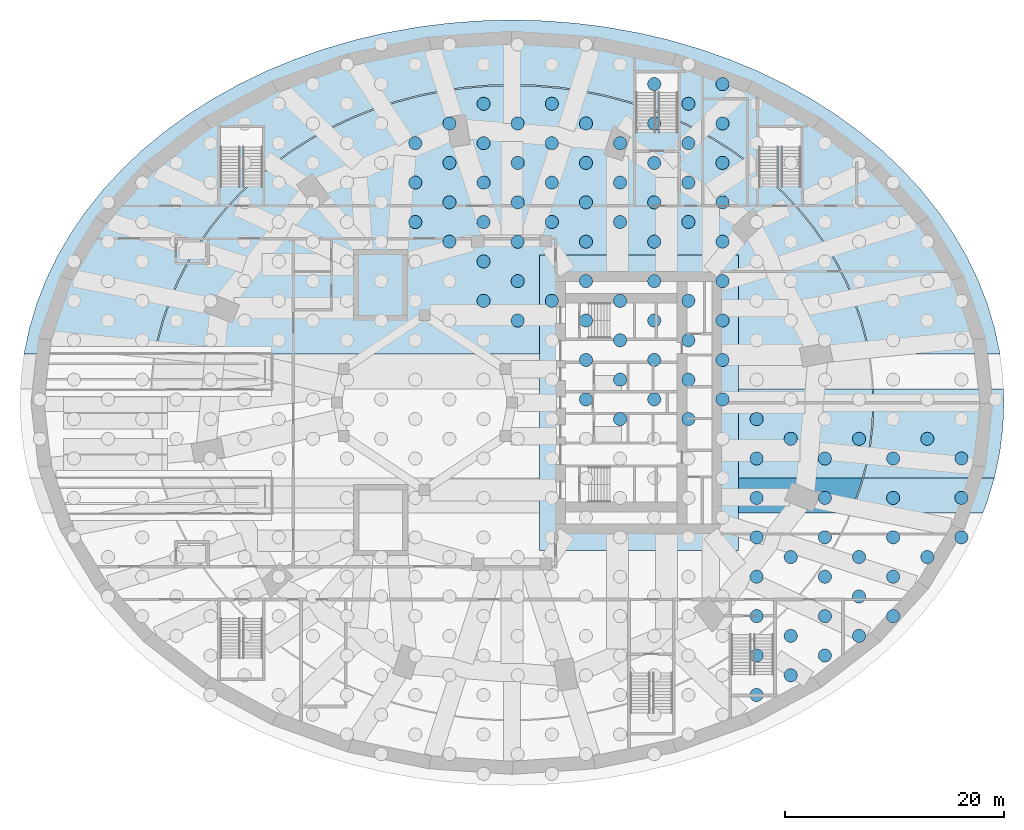
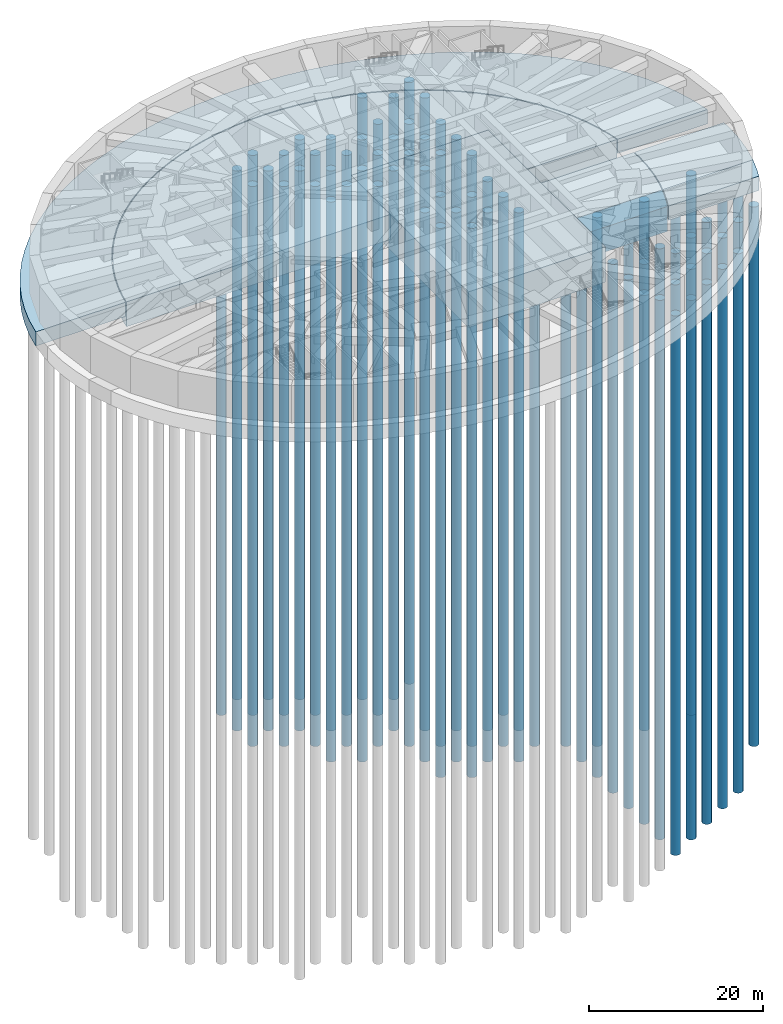
# One storey, part 3 of 18: 97 piles, 7 footings.
"""IFC4 building model written with IfcOpenShell, lengths in metres."""

from ifc_helpers import new_model, si_unit, direction, frame, origin, origin_2d, place, context, subcontext, project, spatial, polyline, circle, outline, extrude, material, layer, layer_set, material_profile, profile_set, type_object, element, save


model = new_model("IFC4")

# Units and contexts
model_context = context("Model", 3, precision=1e-05, world=origin(), true_north=direction((0.0, 1.0)))
body_context = subcontext(model_context, "Body", "Model", "MODEL_VIEW")
ifc_project = project(units=[si_unit("LENGTHUNIT", "METRE"), si_unit("AREAUNIT", "SQUARE_METRE"), si_unit("VOLUMEUNIT", "CUBIC_METRE"), si_unit("PLANEANGLEUNIT", "RADIAN"), si_unit("MASSUNIT", "GRAM", prefix="KILO")], contexts=[model_context])

# Site, building, storey
site_placement = place(None, origin())
site = spatial("IfcSite", under=ifc_project, at=site_placement, CompositionType="ELEMENT")
building_placement = place(site_placement, origin())
building = spatial("IfcBuilding", under=site, at=building_placement, Name="Taillehof Tower", CompositionType="ELEMENT")
storey_placement = place(building_placement, frame((0.0, 0.0, -10.39990234375)))
storey = spatial("IfcBuildingStorey", under=building, at=storey_placement, Name="B2", CompositionType="ELEMENT", Elevation=-10.39990234375)

# Piles
ifc_material_1 = material(Name="Concrete C30/37", Category="concrete")
ifc_material_profile = material_profile(ifc_material_1, circle(Radius=0.60009765625, at=origin_2d()), Name="BP D1200")
ifc_profile_set = profile_set([ifc_material_profile], Name="Concrete C30/37")
pile_type = type_object("IfcPileType", Name="Bored pile D1200", PredefinedType="BORED", material=ifc_profile_set)
for number, where, z_axis, x_axis, name in (
    (1, (22.3740234375, -26.736083984375, -1.902099609375), (0.0, 0.0, -1.0), (1.0, 0.0, 0.0), "Pile 026"),
    (2, (25.49609375, -24.93359375, -1.902099609375), (0.0, 0.0, -1.0), (1.0, 0.0, 0.0), "Pile 034"),
    (3, (22.3740234375, -23.13134765625, -1.902099609375), (0.0, 0.0, -1.0), (1.0, 0.0, 0.0), "Pile 042"),
    (4, (28.617919921875, -23.131103515625, -1.902099609375), (0.0, 0.0, -1.0), (1.0, 0.0, 0.0), "Pile 043"),
    (5, (25.49609375, -21.328857421875, -1.902099609375), (0.0, 0.0, -1.0), (1.0, 0.0, 0.0), "Pile 053"),
    (6, (31.739990234375, -21.32861328125, -1.902099609375), (0.0, 0.0, -1.0), (1.0, 0.0, 0.0), "Pile 054"),
):
    element("IfcPile", number, at=place(storey_placement, frame(where, z_axis=z_axis, x_axis=x_axis)), inside=storey, type_object=pile_type, Name=name, PredefinedType="BORED", context=body_context, shape_type="SweptSolid", body=[
        extrude(circle(Radius=0.60009765625, at=origin_2d()), origin(), (0.0, 0.0, 1.0), 75.798095703125),
    ])
pile_1_placement = place(storey_placement, frame((22.3740234375, -19.5263671875, -3.402099609375), z_axis=(0.0, 0.0, -1.0), x_axis=(1.0, 0.0, 0.0)))
element("IfcPile", 7, at=pile_1_placement, inside=storey, type_object=pile_type, Name="Pile 064", PredefinedType="BORED", context=body_context, shape_type="SweptSolid", body=[
    extrude(circle(Radius=0.60009765625, at=origin_2d()), origin(), (0.0, 0.0, 1.0), 74.298095703125),
])
for number, where, z_axis, x_axis, name in (
    (8, (28.6181640625, -19.5263671875, -1.902099609375), (0.0, 0.0, -1.0), (1.0, 0.0, 0.0), "Pile 065"),
    (9, (34.862060546875, -19.526123046875, -1.902099609375), (0.0, 0.0, -1.0), (1.0, 0.0, 0.0), "Pile 066"),
    (10, (31.739990234375, -17.723876953125, -1.902099609375), (0.0, 0.0, -1.0), (1.0, 0.0, 0.0), "Pile 077"),
):
    element("IfcPile", number, at=place(storey_placement, frame(where, z_axis=z_axis, x_axis=x_axis)), inside=storey, type_object=pile_type, Name=name, PredefinedType="BORED", context=body_context, shape_type="SweptSolid", body=[
        extrude(circle(Radius=0.60009765625, at=origin_2d()), origin(), (0.0, 0.0, 1.0), 75.798095703125),
    ])
pile_2_placement = place(storey_placement, frame((22.3740234375, -15.92138671875, -3.402099609375), z_axis=(0.0, 0.0, -1.0), x_axis=(1.0, 0.0, 0.0)))
element("IfcPile", 11, at=pile_2_placement, inside=storey, type_object=pile_type, Name="Pile 086", PredefinedType="BORED", context=body_context, shape_type="SweptSolid", body=[
    extrude(circle(Radius=0.60009765625, at=origin_2d()), origin(), (0.0, 0.0, 1.0), 74.298095703125),
])
for number, where, z_axis, x_axis, name in (
    (12, (28.6181640625, -15.92138671875, -1.902099609375), (0.0, 0.0, -1.0), (1.0, 0.0, 0.0), "Pile 087"),
    (13, (34.862060546875, -15.92138671875, -1.902099609375), (0.0, 0.0, -1.0), (1.0, 0.0, 0.0), "Pile 088"),
):
    element("IfcPile", number, at=place(storey_placement, frame(where, z_axis=z_axis, x_axis=x_axis)), inside=storey, type_object=pile_type, Name=name, PredefinedType="BORED", context=body_context, shape_type="SweptSolid", body=[
        extrude(circle(Radius=0.60009765625, at=origin_2d()), origin(), (0.0, 0.0, 1.0), 75.798095703125),
    ])
pile_3_placement = place(storey_placement, frame((25.49609375, -14.118896484375, -3.402099609375), z_axis=(0.0, 0.0, -1.0), x_axis=(1.0, 0.0, 0.0)))
element("IfcPile", 14, at=pile_3_placement, inside=storey, type_object=pile_type, Name="Pile 096", PredefinedType="BORED", context=body_context, shape_type="SweptSolid", body=[
    extrude(circle(Radius=0.60009765625, at=origin_2d()), origin(), (0.0, 0.0, 1.0), 74.298095703125),
])
for number, where, z_axis, x_axis, name in (
    (15, (31.739990234375, -14.118896484375, -1.902099609375), (0.0, 0.0, -1.0), (1.0, 0.0, 0.0), "Pile 097"),
    (16, (37.984130859375, -14.118896484375, -1.902099609375), (0.0, 0.0, -1.0), (1.0, 0.0, 0.0), "Pile 098"),
):
    element("IfcPile", number, at=place(storey_placement, frame(where, z_axis=z_axis, x_axis=x_axis)), inside=storey, type_object=pile_type, Name=name, PredefinedType="BORED", context=body_context, shape_type="SweptSolid", body=[
        extrude(circle(Radius=0.60009765625, at=origin_2d()), origin(), (0.0, 0.0, 1.0), 75.798095703125),
    ])
for number, where, z_axis, x_axis, name in (
    (17, (22.374267578125, -12.31640625, -3.402099609375), (0.0, 0.0, -1.0), (1.0, 0.0, 0.0), "Pile 109"),
    (18, (28.6181640625, -12.31640625, -3.402099609375), (0.0, 0.0, -1.0), (1.0, 0.0, 0.0), "Pile 110"),
):
    element("IfcPile", number, at=place(storey_placement, frame(where, z_axis=z_axis, x_axis=x_axis)), inside=storey, type_object=pile_type, Name=name, PredefinedType="BORED", context=body_context, shape_type="SweptSolid", body=[
        extrude(circle(Radius=0.60009765625, at=origin_2d()), origin(), (0.0, 0.0, 1.0), 74.298095703125),
    ])
for number, where, z_axis, x_axis, name in (
    (19, (34.8623046875, -12.31640625, -1.902099609375), (0.0, 0.0, -1.0), (1.0, 0.0, 0.0), "Pile 111"),
    (20, (41.106201171875, -12.31640625, -1.902099609375), (0.0, 0.0, -1.0), (1.0, 0.0, 0.0), "Pile 112"),
):
    element("IfcPile", number, at=place(storey_placement, frame(where, z_axis=z_axis, x_axis=x_axis)), inside=storey, type_object=pile_type, Name=name, PredefinedType="BORED", context=body_context, shape_type="SweptSolid", body=[
        extrude(circle(Radius=0.60009765625, at=origin_2d()), origin(), (0.0, 0.0, 1.0), 75.798095703125),
    ])
for number, where, z_axis, x_axis, name in (
    (21, (22.374267578125, -8.711669921875, -3.402099609375), (0.0, 0.0, -1.0), (1.0, 0.0, 0.0), "Pile 125"),
    (22, (28.6181640625, -8.71142578125, -3.402099609375), (0.0, 0.0, -1.0), (1.0, 0.0, 0.0), "Pile 126"),
):
    element("IfcPile", number, at=place(storey_placement, frame(where, z_axis=z_axis, x_axis=x_axis)), inside=storey, type_object=pile_type, Name=name, PredefinedType="BORED", context=body_context, shape_type="SweptSolid", body=[
        extrude(circle(Radius=0.60009765625, at=origin_2d()), origin(), (0.0, 0.0, 1.0), 74.298095703125),
    ])
for number, where, z_axis, x_axis, name in (
    (23, (34.8623046875, -8.71142578125, -1.902099609375), (0.0, 0.0, -1.0), (1.0, 0.0, 0.0), "Pile 127"),
    (24, (41.106201171875, -8.71142578125, -1.902099609375), (0.0, 0.0, -1.0), (1.0, 0.0, 0.0), "Pile 128"),
):
    element("IfcPile", number, at=place(storey_placement, frame(where, z_axis=z_axis, x_axis=x_axis)), inside=storey, type_object=pile_type, Name=name, PredefinedType="BORED", context=body_context, shape_type="SweptSolid", body=[
        extrude(circle(Radius=0.60009765625, at=origin_2d()), origin(), (0.0, 0.0, 1.0), 75.798095703125),
    ])
for number, where, z_axis, x_axis, name in (
    (25, (22.374267578125, -5.106689453125, -3.402099609375), (0.0, 0.0, -1.0), (1.0, 0.0, 0.0), "Pile 142"),
    (26, (28.618408203125, -5.106689453125, -3.402099609375), (0.0, 0.0, -1.0), (1.0, 0.0, 0.0), "Pile 143"),
):
    element("IfcPile", number, at=place(storey_placement, frame(where, z_axis=z_axis, x_axis=x_axis)), inside=storey, type_object=pile_type, Name=name, PredefinedType="BORED", context=body_context, shape_type="SweptSolid", body=[
        extrude(circle(Radius=0.60009765625, at=origin_2d()), origin(), (0.0, 0.0, 1.0), 74.298095703125),
    ])
for number, where, z_axis, x_axis, name in (
    (27, (34.8623046875, -5.1064453125, -1.902099609375), (0.0, 0.0, -1.0), (1.0, 0.0, 0.0), "Pile 144"),
    (28, (41.106201171875, -5.1064453125, -1.902099609375), (0.0, 0.0, -1.0), (1.0, 0.0, 0.0), "Pile 145"),
):
    element("IfcPile", number, at=place(storey_placement, frame(where, z_axis=z_axis, x_axis=x_axis)), inside=storey, type_object=pile_type, Name=name, PredefinedType="BORED", context=body_context, shape_type="SweptSolid", body=[
        extrude(circle(Radius=0.60009765625, at=origin_2d()), origin(), (0.0, 0.0, 1.0), 75.798095703125),
    ])
for number, where, z_axis, x_axis, name in (
    (29, (25.496337890625, -3.30419921875, -3.402099609375), (0.0, 0.0, -1.0), (1.0, 0.0, 0.0), "Pile 157"),
    (30, (31.740234375, -3.30419921875, -3.402099609375), (0.0, 0.0, -1.0), (1.0, 0.0, 0.0), "Pile 158"),
):
    element("IfcPile", number, at=place(storey_placement, frame(where, z_axis=z_axis, x_axis=x_axis)), inside=storey, type_object=pile_type, Name=name, PredefinedType="BORED", context=body_context, shape_type="SweptSolid", body=[
        extrude(circle(Radius=0.60009765625, at=origin_2d()), origin(), (0.0, 0.0, 1.0), 74.298095703125),
    ])
pile_4_placement = place(storey_placement, frame((37.984375, -3.303955078125, -1.902099609375), z_axis=(0.0, 0.0, -1.0), x_axis=(1.0, 0.0, 0.0)))
element("IfcPile", 31, at=pile_4_placement, inside=storey, type_object=pile_type, Name="Pile 159", PredefinedType="BORED", context=body_context, shape_type="SweptSolid", body=[
    extrude(circle(Radius=0.60009765625, at=origin_2d()), origin(), (0.0, 0.0, 1.0), 75.798095703125),
])
for number, where, z_axis, x_axis, name in (
    (32, (9.88623046875, -1.501953125, -4.902099609375), (0.0, 0.0, -1.0), (1.0, 0.0, 0.0), "Pile 168"),
    (33, (16.13037109375, -1.501708984375, -4.902099609375), (0.0, 0.0, -1.0), (1.0, 0.0, 0.0), "Pile 169"),
):
    element("IfcPile", number, at=place(storey_placement, frame(where, z_axis=z_axis, x_axis=x_axis)), inside=storey, type_object=pile_type, Name=name, PredefinedType="BORED", context=body_context, shape_type="SweptSolid", body=[
        extrude(circle(Radius=0.60009765625, at=origin_2d()), origin(), (0.0, 0.0, 1.0), 72.798095703125),
    ])
pile_5_placement = place(storey_placement, frame((22.374267578125, -1.501708984375, -3.402099609375), z_axis=(0.0, 0.0, -1.0), x_axis=(1.0, 0.0, 0.0)))
element("IfcPile", 34, at=pile_5_placement, inside=storey, type_object=pile_type, Name="Pile 170", PredefinedType="BORED", context=body_context, shape_type="SweptSolid", body=[
    extrude(circle(Radius=0.60009765625, at=origin_2d()), origin(), (0.0, 0.0, 1.0), 74.298095703125),
])
for number, where, z_axis, x_axis, name in (
    (35, (6.764404296875, 0.300537109375, -4.902099609375), (0.0, 0.0, -1.0), (1.0, 0.0, 0.0), "Pile 182"),
    (36, (13.00830078125, 0.300537109375, -4.902099609375), (0.0, 0.0, -1.0), (1.0, 0.0, 0.0), "Pile 183"),
    (37, (19.252197265625, 0.30078125, -4.902099609375), (0.0, 0.0, -1.0), (1.0, 0.0, 0.0), "Pile 184"),
    (38, (9.886474609375, 2.10302734375, -4.902099609375), (0.0, 0.0, -1.0), (1.0, 0.0, 0.0), "Pile 196"),
    (39, (16.13037109375, 2.10302734375, -4.902099609375), (0.0, 0.0, -1.0), (1.0, 0.0, 0.0), "Pile 197"),
    (40, (6.764404296875, 3.905517578125, -4.902099609375), (0.0, 0.0, -1.0), (1.0, 0.0, 0.0), "Pile 202"),
    (41, (13.00830078125, 3.905517578125, -4.902099609375), (0.0, 0.0, -1.0), (1.0, 0.0, 0.0), "Pile 203"),
    (42, (19.25244140625, 3.905517578125, -4.902099609375), (0.0, 0.0, -1.0), (1.0, 0.0, 0.0), "Pile 204"),
    (43, (9.886474609375, 5.7080078125, -4.902099609375), (0.0, 0.0, -1.0), (1.0, 0.0, 0.0), "Pile 213"),
    (44, (16.13037109375, 5.7080078125, -4.902099609375), (0.0, 0.0, -1.0), (1.0, 0.0, 0.0), "Pile 214"),
):
    element("IfcPile", number, at=place(storey_placement, frame(where, z_axis=z_axis, x_axis=x_axis)), inside=storey, type_object=pile_type, Name=name, PredefinedType="BORED", context=body_context, shape_type="SweptSolid", body=[
        extrude(circle(Radius=0.60009765625, at=origin_2d()), origin(), (0.0, 0.0, 1.0), 72.798095703125),
    ])
pile_6_placement = place(storey_placement, frame((0.5205078125, 7.51025390625, -3.402099609375), z_axis=(0.0, 0.0, -1.0), x_axis=(1.0, 0.0, 0.0)))
element("IfcPile", 45, at=pile_6_placement, inside=storey, type_object=pile_type, Name="Pile 225", PredefinedType="BORED", context=body_context, shape_type="SweptSolid", body=[
    extrude(circle(Radius=0.60009765625, at=origin_2d()), origin(), (0.0, 0.0, 1.0), 74.298095703125),
])
for number, where, z_axis, x_axis, name in (
    (46, (6.764404296875, 7.51025390625, -4.902099609375), (0.0, 0.0, -1.0), (1.0, 0.0, 0.0), "Pile 226"),
    (47, (13.00830078125, 7.510498046875, -4.902099609375), (0.0, 0.0, -1.0), (1.0, 0.0, 0.0), "Pile 227"),
    (48, (19.25244140625, 7.510498046875, -4.902099609375), (0.0, 0.0, -1.0), (1.0, 0.0, 0.0), "Pile 228"),
):
    element("IfcPile", number, at=place(storey_placement, frame(where, z_axis=z_axis, x_axis=x_axis)), inside=storey, type_object=pile_type, Name=name, PredefinedType="BORED", context=body_context, shape_type="SweptSolid", body=[
        extrude(circle(Radius=0.60009765625, at=origin_2d()), origin(), (0.0, 0.0, 1.0), 72.798095703125),
    ])
pile_7_placement = place(storey_placement, frame((-2.6015625, 9.312744140625, -3.402099609375), z_axis=(0.0, 0.0, -1.0), x_axis=(1.0, 0.0, 0.0)))
element("IfcPile", 49, at=pile_7_placement, inside=storey, type_object=pile_type, Name="Pile 237", PredefinedType="BORED", context=body_context, shape_type="SweptSolid", body=[
    extrude(circle(Radius=0.60009765625, at=origin_2d()), origin(), (0.0, 0.0, 1.0), 74.298095703125),
])
for number, where, z_axis, x_axis, name in (
    (50, (3.642578125, 9.312744140625, -4.902099609375), (0.0, 0.0, -1.0), (1.0, 0.0, 0.0), "Pile 238"),
    (51, (9.886474609375, 9.312744140625, -4.902099609375), (0.0, 0.0, -1.0), (1.0, 0.0, 0.0), "Pile 239"),
    (52, (16.13037109375, 9.31298828125, -4.902099609375), (0.0, 0.0, -1.0), (1.0, 0.0, 0.0), "Pile 240"),
):
    element("IfcPile", number, at=place(storey_placement, frame(where, z_axis=z_axis, x_axis=x_axis)), inside=storey, type_object=pile_type, Name=name, PredefinedType="BORED", context=body_context, shape_type="SweptSolid", body=[
        extrude(circle(Radius=0.60009765625, at=origin_2d()), origin(), (0.0, 0.0, 1.0), 72.798095703125),
    ])
pile_8_placement = place(storey_placement, frame((0.5205078125, 11.115234375, -3.402099609375), z_axis=(0.0, 0.0, -1.0), x_axis=(1.0, 0.0, 0.0)))
element("IfcPile", 53, at=pile_8_placement, inside=storey, type_object=pile_type, Name="Pile 250", PredefinedType="BORED", context=body_context, shape_type="SweptSolid", body=[
    extrude(circle(Radius=0.60009765625, at=origin_2d()), origin(), (0.0, 0.0, 1.0), 74.298095703125),
])
for number, where, z_axis, x_axis, name in (
    (54, (6.764404296875, 11.115234375, -4.902099609375), (0.0, 0.0, -1.0), (1.0, 0.0, 0.0), "Pile 251"),
    (55, (13.008544921875, 11.115234375, -4.902099609375), (0.0, 0.0, -1.0), (1.0, 0.0, 0.0), "Pile 252"),
    (56, (19.25244140625, 11.115478515625, -4.902099609375), (0.0, 0.0, -1.0), (1.0, 0.0, 0.0), "Pile 253"),
):
    element("IfcPile", number, at=place(storey_placement, frame(where, z_axis=z_axis, x_axis=x_axis)), inside=storey, type_object=pile_type, Name=name, PredefinedType="BORED", context=body_context, shape_type="SweptSolid", body=[
        extrude(circle(Radius=0.60009765625, at=origin_2d()), origin(), (0.0, 0.0, 1.0), 72.798095703125),
    ])
for number, where, z_axis, x_axis, name in (
    (57, (-2.6015625, 12.91748046875, -3.402099609375), (0.0, 0.0, -1.0), (1.0, 0.0, 0.0), "Pile 263"),
    (58, (-5.723388671875, 14.719970703125, -3.402099609375), (0.0, 0.0, -1.0), (1.0, 0.0, 0.0), "Pile 272"),
    (59, (0.5205078125, 14.72021484375, -3.402099609375), (0.0, 0.0, -1.0), (1.0, 0.0, 0.0), "Pile 273"),
    (60, (6.764404296875, 14.72021484375, -3.402099609375), (0.0, 0.0, -1.0), (1.0, 0.0, 0.0), "Pile 274"),
    (61, (13.008544921875, 14.72021484375, -3.402099609375), (0.0, 0.0, -1.0), (1.0, 0.0, 0.0), "Pile 275"),
    (62, (19.25244140625, 14.72021484375, -3.402099609375), (0.0, 0.0, -1.0), (1.0, 0.0, 0.0), "Pile 276"),
    (63, (-8.845458984375, 16.5224609375, -3.402099609375), (0.0, 0.0, -1.0), (1.0, 0.0, 0.0), "Pile 283"),
    (64, (-2.6015625, 16.5224609375, -3.402099609375), (0.0, 0.0, -1.0), (1.0, 0.0, 0.0), "Pile 284"),
    (65, (3.642578125, 16.522705078125, -3.402099609375), (0.0, 0.0, -1.0), (1.0, 0.0, 0.0), "Pile 285"),
    (66, (9.886474609375, 16.522705078125, -3.402099609375), (0.0, 0.0, -1.0), (1.0, 0.0, 0.0), "Pile 286"),
    (67, (16.130615234375, 16.522705078125, -3.402099609375), (0.0, 0.0, -1.0), (1.0, 0.0, 0.0), "Pile 287"),
    (68, (-5.723388671875, 18.324951171875, -3.402099609375), (0.0, 0.0, -1.0), (1.0, 0.0, 0.0), "Pile 296"),
    (69, (0.5205078125, 18.324951171875, -3.402099609375), (0.0, 0.0, -1.0), (1.0, 0.0, 0.0), "Pile 297"),
    (70, (6.7646484375, 18.3251953125, -3.402099609375), (0.0, 0.0, -1.0), (1.0, 0.0, 0.0), "Pile 298"),
    (71, (13.008544921875, 18.3251953125, -3.402099609375), (0.0, 0.0, -1.0), (1.0, 0.0, 0.0), "Pile 299"),
    (72, (19.252685546875, 18.3251953125, -3.402099609375), (0.0, 0.0, -1.0), (1.0, 0.0, 0.0), "Pile 300"),
    (73, (-8.845458984375, 20.12744140625, -3.402099609375), (0.0, 0.0, -1.0), (1.0, 0.0, 0.0), "Pile 306"),
    (74, (-2.601318359375, 20.12744140625, -3.402099609375), (0.0, 0.0, -1.0), (1.0, 0.0, 0.0), "Pile 307"),
    (75, (3.642578125, 20.12744140625, -3.402099609375), (0.0, 0.0, -1.0), (1.0, 0.0, 0.0), "Pile 308"),
    (76, (9.88671875, 20.127685546875, -3.402099609375), (0.0, 0.0, -1.0), (1.0, 0.0, 0.0), "Pile 309"),
    (77, (16.130615234375, 20.127685546875, -3.402099609375), (0.0, 0.0, -1.0), (1.0, 0.0, 0.0), "Pile 310"),
    (78, (-5.723388671875, 21.929931640625, -3.402099609375), (0.0, 0.0, -1.0), (1.0, 0.0, 0.0), "Pile 318"),
    (79, (0.5205078125, 21.929931640625, -3.402099609375), (0.0, 0.0, -1.0), (1.0, 0.0, 0.0), "Pile 319"),
    (80, (6.7646484375, 21.929931640625, -3.402099609375), (0.0, 0.0, -1.0), (1.0, 0.0, 0.0), "Pile 320"),
    (81, (13.008544921875, 21.93017578125, -3.402099609375), (0.0, 0.0, -1.0), (1.0, 0.0, 0.0), "Pile 321"),
    (82, (19.252685546875, 21.93017578125, -3.402099609375), (0.0, 0.0, -1.0), (1.0, 0.0, 0.0), "Pile 322"),
    (83, (-8.845458984375, 23.732421875, -3.402099609375), (0.0, 0.0, -1.0), (1.0, 0.0, 0.0), "Pile 328"),
    (84, (-2.601318359375, 23.732421875, -3.402099609375), (0.0, 0.0, -1.0), (1.0, 0.0, 0.0), "Pile 329"),
    (85, (3.642578125, 23.732421875, -3.402099609375), (0.0, 0.0, -1.0), (1.0, 0.0, 0.0), "Pile 330"),
    (86, (9.88671875, 23.732421875, -3.402099609375), (0.0, 0.0, -1.0), (1.0, 0.0, 0.0), "Pile 331"),
    (87, (16.130615234375, 23.732666015625, -3.402099609375), (0.0, 0.0, -1.0), (1.0, 0.0, 0.0), "Pile 332"),
    (88, (-5.723388671875, 25.534912109375, -3.402099609375), (0.0, 0.0, -1.0), (1.0, 0.0, 0.0), "Pile 338"),
    (89, (0.520751953125, 25.534912109375, -3.402099609375), (0.0, 0.0, -1.0), (1.0, 0.0, 0.0), "Pile 339"),
    (90, (6.7646484375, 25.534912109375, -3.402099609375), (0.0, 0.0, -1.0), (1.0, 0.0, 0.0), "Pile 340"),
    (91, (13.0087890625, 25.534912109375, -3.402099609375), (0.0, 0.0, -1.0), (1.0, 0.0, 0.0), "Pile 341"),
):
    element("IfcPile", number, at=place(storey_placement, frame(where, z_axis=z_axis, x_axis=x_axis)), inside=storey, type_object=pile_type, Name=name, PredefinedType="BORED", context=body_context, shape_type="SweptSolid", body=[
        extrude(circle(Radius=0.60009765625, at=origin_2d()), origin(), (0.0, 0.0, 1.0), 74.298095703125),
    ])
pile_9_placement = place(storey_placement, frame((19.252685546875, 25.53515625, -1.902099609375), z_axis=(0.0, 0.0, -1.0), x_axis=(1.0, 0.0, 0.0)))
element("IfcPile", 92, at=pile_9_placement, inside=storey, type_object=pile_type, Name="Pile 342", PredefinedType="BORED", context=body_context, shape_type="SweptSolid", body=[
    extrude(circle(Radius=0.60009765625, at=origin_2d()), origin(), (0.0, 0.0, 1.0), 75.798095703125),
])
for number, where, z_axis, x_axis, name in (
    (93, (-2.601318359375, 27.33740234375, -3.402099609375), (0.0, 0.0, -1.0), (1.0, 0.0, 0.0), "Pile 346"),
    (94, (3.642578125, 27.33740234375, -3.402099609375), (0.0, 0.0, -1.0), (1.0, 0.0, 0.0), "Pile 347"),
):
    element("IfcPile", number, at=place(storey_placement, frame(where, z_axis=z_axis, x_axis=x_axis)), inside=storey, type_object=pile_type, Name=name, PredefinedType="BORED", context=body_context, shape_type="SweptSolid", body=[
        extrude(circle(Radius=0.60009765625, at=origin_2d()), origin(), (0.0, 0.0, 1.0), 74.298095703125),
    ])
for number, where, z_axis, x_axis, name in (
    (95, (16.130615234375, 27.33740234375, -1.902099609375), (0.0, 0.0, -1.0), (1.0, 0.0, 0.0), "Pile 348"),
    (96, (13.0087890625, 29.139892578125, -1.902099609375), (0.0, 0.0, -1.0), (1.0, 0.0, 0.0), "Pile 352"),
    (97, (19.252685546875, 29.139892578125, -1.902099609375), (0.0, 0.0, -1.0), (1.0, 0.0, 0.0), "Pile 353"),
):
    element("IfcPile", number, at=place(storey_placement, frame(where, z_axis=z_axis, x_axis=x_axis)), inside=storey, type_object=pile_type, Name=name, PredefinedType="BORED", context=body_context, shape_type="SweptSolid", body=[
        extrude(circle(Radius=0.60009765625, at=origin_2d()), origin(), (0.0, 0.0, 1.0), 75.798095703125),
    ])

# Footings
ifc_material_2 = material(Name="Concrete C35/45", Category="concrete")
ifc_layer_1 = layer(ifc_material_2, 5.0)
ifc_layer_set_1 = layer_set([ifc_layer_1], Name="Core pad 5000")
footing_type_1 = type_object("IfcFootingType", Name="Core pad 5000", PredefinedType="PILE_CAP", material=ifc_layer_set_1)
footing_1_placement = place(storey_placement, frame((0.0, 0.0, -5.002197265625)))
element("IfcFooting", 98, at=footing_1_placement, inside=storey, type_object=footing_type_1, Name="Core pad", PredefinedType="PILE_CAP", context=body_context, shape_type="SweptSolid", body=[
    extrude(outline(polyline([(20.699951171875, -13.5), (20.699951171875, 13.5), (2.5, 13.5), (2.5, -13.5), (20.699951171875, -13.5)])), origin(), (0.0, 0.0, 1.0), 5.0),
])
ifc_material_3 = material(Name="Concrete C35/45", Category="concrete")
ifc_layer_2 = layer(ifc_material_3, 2.0)
ifc_layer_set_2 = layer_set([ifc_layer_2], Name="Podium raft 2000")
footing_type_2 = type_object("IfcFootingType", Name="Podium raft 2000", PredefinedType="PILE_CAP", material=ifc_layer_set_2)
footing_2_placement = place(storey_placement, frame((0.0, 0.0, -2.002197265625)))
element("IfcFooting", 99, at=footing_2_placement, inside=storey, type_object=footing_type_2, Name="Podium raft", PredefinedType="PILE_CAP", context=body_context, shape_type="SweptSolid", body=[
    extrude(outline(polyline([(43.466552734375, -9.05859375), (43.060546875, -10.10009765625), (31.024169921875, -10.10009765625), (31.340576171875, -9.361083984375), (31.34326171875, -9.3544921875), (31.969970703125, -7.538330078125), (31.97216796875, -7.531494140625), (32.1396484375, -6.89990234375), (44.11376953125, -6.89990234375), (43.466552734375, -9.05859375)])), origin(), (0.0, 0.0, 1.0), 2.0),
])
footing_3_placement = place(storey_placement, frame((0.0, 0.0, -2.002197265625)))
element("IfcFooting", 100, at=footing_3_placement, inside=storey, type_object=footing_type_2, Name="Podium raft", PredefinedType="PILE_CAP", context=body_context, shape_type="SweptSolid", body=[
    extrude(outline(polyline([(44.13525390625, -6.828125), (44.11376953125, -6.89990234375), (32.1396484375, -6.89990234375), (32.462646484375, -5.683349609375), (32.464111328125, -5.676025390625), (32.81591796875, -3.8037109375), (32.817138671875, -3.79638671875), (33.02880859375, -1.90771484375), (33.029296875, -1.900390625), (33.099853515625, -0.003662109375), (33.099853515625, 0.003662109375), (33.053466796875, 1.25), (44.947265625, 1.25), (45.0, 0.0), (44.903564453125, -2.2890625), (44.614990234375, -4.568359375), (44.13525390625, -6.828125)])), origin(), (0.0, 0.0, 1.0), 2.0),
])
footing_4_placement = place(storey_placement, frame((0.0, 0.0, -2.002197265625)))
element("IfcFooting", 101, at=footing_4_placement, inside=storey, type_object=footing_type_2, Name="Podium raft", PredefinedType="PILE_CAP", context=body_context, shape_type="SweptSolid", body=[
    extrude(outline(polyline([(-44.614990234375, 4.568359375), (-44.13525390625, 6.828125), (-43.466552734375, 9.05859375), (-42.61181640625, 11.25048828125), (-41.574462890625, 13.393798828125), (-40.359375, 15.480224609375), (-38.97119140625, 17.5), (-37.416015625, 19.445068359375), (-35.700927734375, 21.306640625), (-33.832763671875, 23.0771484375), (-31.81982421875, 24.748779296875), (-29.670654296875, 26.314453125), (-27.394287109375, 27.767333984375), (-25.000732421875, 29.101318359375), (-22.5, 30.310791015625), (-19.903076171875, 31.390625), (-17.220703125, 32.335693359375), (-14.46484375, 33.142578125), (-11.64697265625, 33.807373046875), (-8.779052734375, 34.327392578125), (-5.873779296875, 34.70068359375), (-2.943115234375, 34.925048828125), (0.0, 35.0), (2.943115234375, 34.925048828125), (5.873779296875, 34.70068359375), (8.779052734375, 34.327392578125), (11.64697265625, 33.807373046875), (14.46484375, 33.142578125), (17.220703125, 32.335693359375), (19.903076171875, 31.390625), (22.5, 30.310791015625), (25.000732421875, 29.101318359375), (27.394287109375, 27.767333984375), (29.670654296875, 26.314453125), (31.81982421875, 24.748779296875), (33.832763671875, 23.0771484375), (35.700927734375, 21.306640625), (37.416015625, 19.445068359375), (38.97119140625, 17.5), (40.359375, 15.480224609375), (41.574462890625, 13.393798828125), (42.61181640625, 11.25048828125), (43.466552734375, 9.05859375), (44.13525390625, 6.828125), (44.614990234375, 4.568359375), (44.630126953125, 4.449951171875), (32.694580078125, 4.449951171875), (32.464111328125, 5.676025390625), (32.462646484375, 5.683349609375), (31.97216796875, 7.531494140625), (31.969970703125, 7.538330078125), (31.34326171875, 9.3544921875), (31.340576171875, 9.361083984375), (30.579833984375, 11.13720703125), (30.576904296875, 11.1435546875), (29.685791015625, 12.872314453125), (29.68212890625, 12.87841796875), (28.664306640625, 14.552001953125), (28.660400390625, 14.557861328125), (27.52001953125, 16.169189453125), (27.51611328125, 16.1748046875), (26.258056640625, 17.71728515625), (26.253662109375, 17.722412109375), (24.8837890625, 19.189208984375), (24.879150390625, 19.19384765625), (23.40283203125, 20.5791015625), (23.398193359375, 20.583251953125), (21.822021484375, 21.880615234375), (21.81689453125, 21.884521484375), (20.147705078125, 23.08837890625), (20.142333984375, 23.091796875), (18.38720703125, 24.197265625), (18.3818359375, 24.200439453125), (16.5478515625, 25.202392578125), (16.54248046875, 25.205322265625), (14.637939453125, 26.099853515625), (14.632568359375, 26.102294921875), (12.66552734375, 26.885498046875), (12.659912109375, 26.887451171875), (10.638916015625, 27.555908203125), (10.63330078125, 27.5576171875), (8.56689453125, 28.1083984375), (8.56103515625, 28.10986328125), (6.4580078125, 28.540771484375), (6.452392578125, 28.541748046875), (4.32177734375, 28.850830078125), (4.31591796875, 28.8515625), (2.1669921875, 29.03759765625), (2.1611328125, 29.037841796875), (0.0029296875, 29.099853515625), (-0.0029296875, 29.099853515625), (-2.1611328125, 29.037841796875), (-2.1669921875, 29.03759765625), (-4.31591796875, 28.8515625), (-4.32177734375, 28.850830078125), (-6.452392578125, 28.541748046875), (-6.4580078125, 28.540771484375), (-8.56103515625, 28.10986328125), (-8.56689453125, 28.1083984375), (-10.63330078125, 27.5576171875), (-10.638916015625, 27.555908203125), (-12.659912109375, 26.887451171875), (-12.66552734375, 26.885498046875), (-14.632568359375, 26.102294921875), (-14.637939453125, 26.099853515625), (-16.54248046875, 25.205322265625), (-16.5478515625, 25.202392578125), (-18.3818359375, 24.200439453125), (-18.38720703125, 24.197265625), (-20.142333984375, 23.091796875), (-20.147705078125, 23.08837890625), (-21.81689453125, 21.884521484375), (-21.822021484375, 21.880615234375), (-23.398193359375, 20.583251953125), (-23.40283203125, 20.5791015625), (-24.879150390625, 19.19384765625), (-24.8837890625, 19.189208984375), (-26.253662109375, 17.722412109375), (-26.258056640625, 17.71728515625), (-27.51611328125, 16.1748046875), (-27.52001953125, 16.169189453125), (-28.660400390625, 14.557861328125), (-28.664306640625, 14.552001953125), (-29.68212890625, 12.87841796875), (-29.685791015625, 12.872314453125), (-30.576904296875, 11.1435546875), (-30.579833984375, 11.13720703125), (-31.340576171875, 9.361083984375), (-31.34326171875, 9.3544921875), (-31.969970703125, 7.538330078125), (-31.97216796875, 7.531494140625), (-32.462646484375, 5.683349609375), (-32.464111328125, 5.676025390625), (-32.694580078125, 4.449951171875), (-42.28857421875, 4.449951171875), (-44.630126953125, 4.449951171875), (-44.614990234375, 4.568359375)])), origin(), (0.0, 0.0, 1.0), 2.0),
])
ifc_material_4 = material(Name="Concrete C35/45", Category="concrete")
ifc_layer_3 = layer(ifc_material_4, 3.5)
ifc_layer_set_3 = layer_set([ifc_layer_3], Name="Tower raft 3500")
footing_type_3 = type_object("IfcFootingType", Name="Tower raft 3500", PredefinedType="PILE_CAP", material=ifc_layer_set_3)
footing_5_placement = place(storey_placement, frame((0.0, 0.0, -3.502197265625)))
element("IfcFooting", 102, at=footing_5_placement, inside=storey, type_object=footing_type_3, Name="Tower raft", PredefinedType="PILE_CAP", context=body_context, shape_type="SweptSolid", body=[
    extrude(outline(polyline([(31.87548828125, -7.505859375), (31.248779296875, -9.32177734375), (30.915283203125, -10.10009765625), (20.699951171875, -10.10009765625), (20.699951171875, -6.89990234375), (32.036376953125, -6.89990234375), (31.87548828125, -7.505859375)])), origin(), (0.0, 0.0, 1.0), 3.5),
])
footing_6_placement = place(storey_placement, frame((0.0, 0.0, -3.502197265625)))
element("IfcFooting", 103, at=footing_6_placement, inside=storey, type_object=footing_type_3, Name="Tower raft", PredefinedType="PILE_CAP", context=body_context, shape_type="SweptSolid", body=[
    extrude(outline(polyline([(32.365966796875, -5.65771484375), (32.036376953125, -6.89990234375), (20.699951171875, -6.89990234375), (20.699951171875, 1.25), (32.953369140625, 1.25), (33.0, 0.0), (32.929443359375, -1.896728515625), (32.7177734375, -3.78515625), (32.365966796875, -5.65771484375)])), origin(), (0.0, 0.0, 1.0), 3.5),
])
footing_7_placement = place(storey_placement, frame((0.0, 0.0, -3.502197265625)))
element("IfcFooting", 104, at=footing_7_placement, inside=storey, type_object=footing_type_3, Name="Tower raft", PredefinedType="PILE_CAP", context=body_context, shape_type="SweptSolid", body=[
    extrude(outline(polyline([(-32.5927734375, 4.449951171875), (-32.365966796875, 5.65771484375), (-31.87548828125, 7.505859375), (-31.248779296875, 9.32177734375), (-30.488037109375, 11.097900390625), (-29.5966796875, 12.826416015625), (-28.578857421875, 14.5), (-27.4384765625, 16.111572265625), (-26.1806640625, 17.654052734375), (-24.810791015625, 19.12109375), (-23.33447265625, 20.506103515625), (-21.75830078125, 21.803466796875), (-20.089111328125, 23.00732421875), (-18.333740234375, 24.112548828125), (-16.5, 25.11474609375), (-14.595458984375, 26.00927734375), (-12.628662109375, 26.79248046875), (-10.607421875, 27.4609375), (-8.541015625, 28.011962890625), (-6.43798828125, 28.44287109375), (-4.307373046875, 28.751953125), (-2.158203125, 28.93798828125), (0.0, 29.0), (2.158203125, 28.93798828125), (4.307373046875, 28.751953125), (6.43798828125, 28.44287109375), (8.541015625, 28.011962890625), (10.607421875, 27.4609375), (12.628662109375, 26.79248046875), (14.595458984375, 26.00927734375), (16.5, 25.11474609375), (18.333740234375, 24.112548828125), (20.089111328125, 23.00732421875), (21.75830078125, 21.803466796875), (23.33447265625, 20.506103515625), (24.810791015625, 19.12109375), (26.1806640625, 17.654052734375), (27.4384765625, 16.111572265625), (28.578857421875, 14.5), (29.5966796875, 12.826416015625), (30.488037109375, 11.097900390625), (31.248779296875, 9.32177734375), (31.87548828125, 7.505859375), (32.365966796875, 5.65771484375), (32.5927734375, 4.449951171875), (20.699951171875, 4.449951171875), (20.699951171875, 13.5), (2.5, 13.5), (2.5, 4.449951171875), (-22.0, 4.449951171875), (-32.5927734375, 4.449951171875)])), origin(), (0.0, 0.0, 1.0), 3.5),
])

save(model, "model.ifc")
